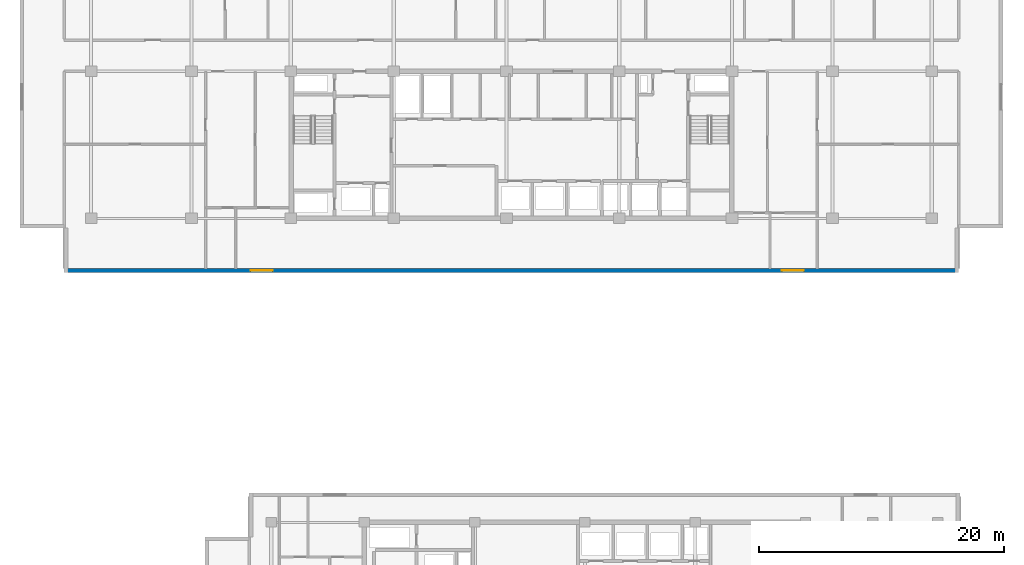
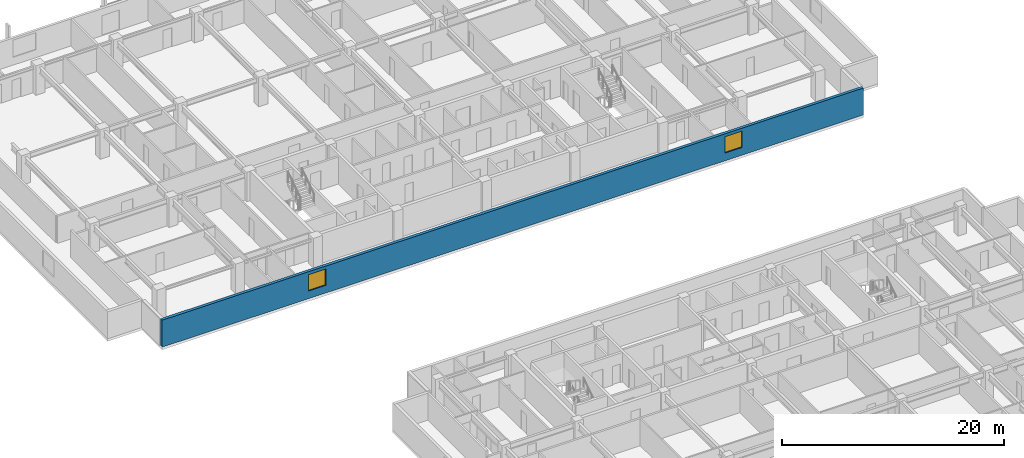
# One storey, part 9 of 22: 2 windows, 1 wall, 2 openings.
"""IFC4 building model written with IfcOpenShell, lengths in metres."""

from ifc_helpers import new_model, si_unit, direction, frame, frame_2d, origin, place, context, subcontext, project, spatial, rectangle, extrude, material, layer, layer_set, type_object, element, fill, save


model = new_model("IFC4")

# Units and contexts
model_context = context("Model", 3, precision=1e-05, world=origin(), true_north=direction((0.0, 1.0)))
body_context = subcontext(model_context, "Body", "Model", "MODEL_VIEW")
ifc_project = project(units=[si_unit("LENGTHUNIT", "METRE"), si_unit("AREAUNIT", "SQUARE_METRE"), si_unit("VOLUMEUNIT", "CUBIC_METRE"), si_unit("PLANEANGLEUNIT", "RADIAN"), si_unit("MASSUNIT", "GRAM", prefix="KILO")], contexts=[model_context])

# Site, building, storey
site_placement = place(None, origin())
site = spatial("IfcSite", under=ifc_project, at=site_placement, CompositionType="ELEMENT")
building_placement = place(site_placement, origin())
building = spatial("IfcBuilding", under=site, at=building_placement, Name="Korimba Cascade Residences", CompositionType="ELEMENT")
storey_placement = place(building_placement, frame((0.0, 0.0, 129.550048828125)))
storey = spatial("IfcBuildingStorey", under=building, at=storey_placement, Name="L37", CompositionType="ELEMENT", Elevation=129.550048828125)

# Wall, openings, windows
ifc_material_1 = material(Name="Precast concrete C40/50", Category="concrete")
ifc_layer = layer(ifc_material_1, 0.300048828125)
ifc_layer_set = layer_set([ifc_layer], Name="Precast concrete C40/50")
wall_type = type_object("IfcWallType", Name="EW-STONE-300", PredefinedType="STANDARD", material=ifc_layer_set)
wall_placement = place(storey_placement, frame((57.60009765625, 50.949951171875, 0.0), z_axis=(0.0, 0.0, 1.0), x_axis=(1.0, 0.0, 0.0)))
wall = element("IfcWall", 1, at=wall_placement, inside=storey, type_object=wall_type, Name="L37 T1 Perimeter Stone Wall E00", PredefinedType="STANDARD", context=body_context, shape_type="SweptSolid", body=[
    extrude(rectangle(XDim=73.0, YDim=0.300048828125, at=frame_2d((36.5, 0.0))), origin(), (0.0, 0.0, 1.0), 2.969970703125),
])
opening_1_placement = place(wall_placement, frame((15.22509765625, 0.0, 0.85009765625)))
opening_1 = element("IfcOpeningElement", 2, at=opening_1_placement, cuts=wall, Name="Opening W-02", PredefinedType="OPENING", context=body_context, shape_type="SweptSolid", body=[
    extrude(rectangle(XDim=1.800048828125, YDim=1.800048828125, at=frame_2d((0.89990234375, 0.89990234375))), frame((0.0, 0.16015625, 0.0), z_axis=(0.0, -1.0, 0.0), x_axis=(1.0, 0.0, 0.0)), (0.0, 0.0, 1.0), 0.320068359375),
])
opening_2_placement = place(wall_placement, frame((58.574951171875, 0.0, 0.85009765625)))
opening_2 = element("IfcOpeningElement", 3, at=opening_2_placement, cuts=wall, Name="Opening W-02", PredefinedType="OPENING", context=body_context, shape_type="SweptSolid", body=[
    extrude(rectangle(XDim=1.800048828125, YDim=1.800048828125, at=frame_2d((0.89990234375, 0.89990234375))), frame((0.0, 0.16015625, 0.0), z_axis=(0.0, -1.0, 0.0), x_axis=(1.0, 0.0, 0.0)), (0.0, 0.0, 1.0), 0.320068359375),
])
ifc_material_2 = material(Name="Double-Glazed Aluminium Window", Category="aluminium")
window_type = type_object("IfcWindowType", Name="WIN-BED-1800", PartitioningType="SINGLE_PANEL", PredefinedType="WINDOW", material=ifc_material_2)
window_1_placement = place(opening_1_placement, origin())
window_1 = element("IfcWindow", 4, at=window_1_placement, inside=storey, type_object=window_type, Name="L37 T1 South Corner Bedroom Window 1", OverallHeight=1.800048828125, OverallWidth=1.800048828125, PartitioningType="SINGLE_PANEL", PredefinedType="WINDOW", context=body_context, shape_type="SweptSolid", body=[
    extrude(rectangle(XDim=1.800048828125, YDim=1.800048828125, at=frame_2d((0.89990234375, 0.89990234375))), frame((0.0, 0.030029296875, 0.0), z_axis=(0.0, -1.0, 0.0), x_axis=(1.0, 0.0, 0.0)), (0.0, 0.0, 1.0), 0.06005859375),
])
fill(opening_1, window_1)
window_2_placement = place(opening_2_placement, origin())
window_2 = element("IfcWindow", 5, at=window_2_placement, inside=storey, type_object=window_type, Name="L37 T1 South Corner Bedroom Window 2", OverallHeight=1.800048828125, OverallWidth=1.800048828125, PartitioningType="SINGLE_PANEL", PredefinedType="WINDOW", context=body_context, shape_type="SweptSolid", body=[
    extrude(rectangle(XDim=1.800048828125, YDim=1.800048828125, at=frame_2d((0.89990234375, 0.89990234375))), frame((0.0, 0.030029296875, 0.0), z_axis=(0.0, -1.0, 0.0), x_axis=(1.0, 0.0, 0.0)), (0.0, 0.0, 1.0), 0.06005859375),
])
fill(opening_2, window_2)

save(model, "model.ifc")
